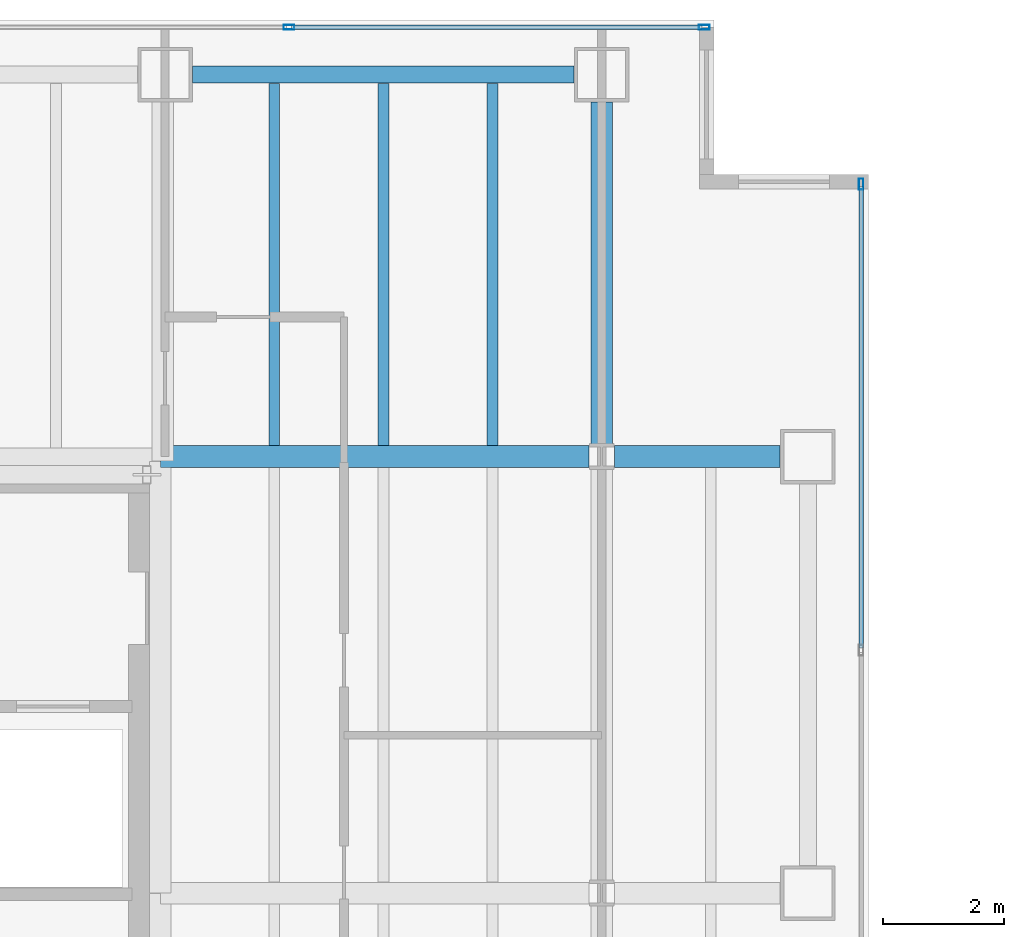
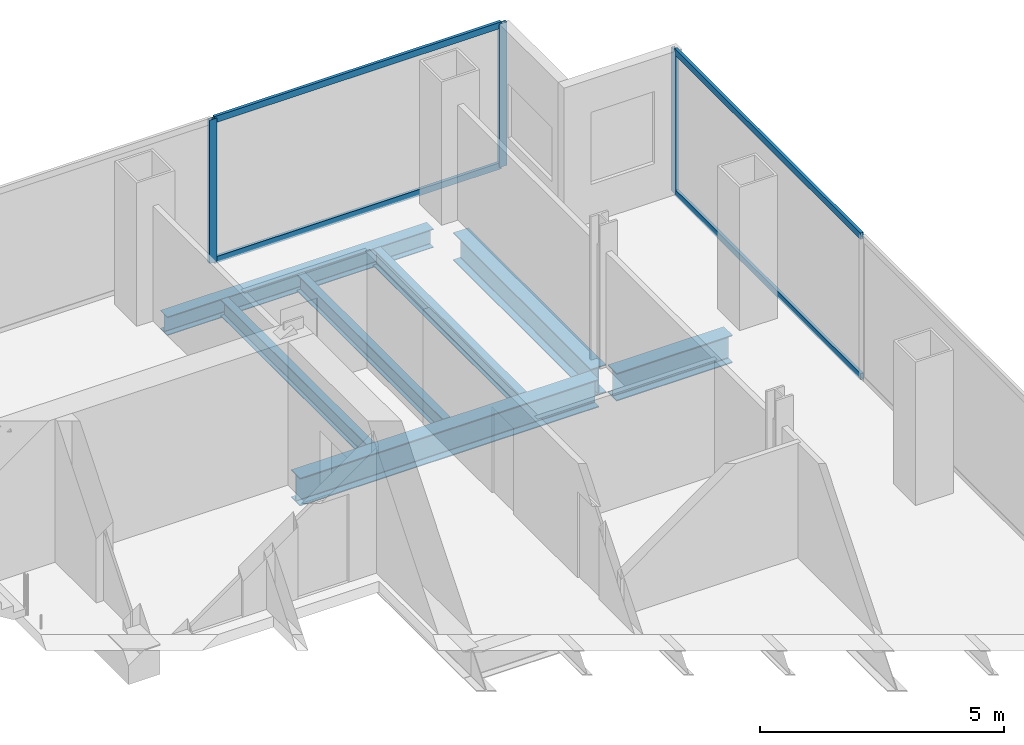
# One storey, part 18 of 24: 7 beams, 7 members, 2 elements without a shape of their own.
"""IFC4 building model written with IfcOpenShell, lengths in metres."""

from ifc_helpers import new_model, si_unit, direction, frame, origin, origin_2d, place, context, subcontext, project, spatial, hollow_rectangle, i_section, extrude, material, material_profile, profile_set, type_object, element, aggregate, save


model = new_model("IFC4")

# Units and contexts
model_context = context("Model", 3, precision=1e-05, world=origin(), true_north=direction((0.0, 1.0)))
body_context = subcontext(model_context, "Body", "Model", "MODEL_VIEW")
ifc_project = project(units=[si_unit("LENGTHUNIT", "METRE"), si_unit("AREAUNIT", "SQUARE_METRE"), si_unit("VOLUMEUNIT", "CUBIC_METRE"), si_unit("PLANEANGLEUNIT", "RADIAN"), si_unit("MASSUNIT", "GRAM", prefix="KILO")], contexts=[model_context])

# Site, building, storey
site_placement = place(None, origin())
site = spatial("IfcSite", under=ifc_project, at=site_placement, CompositionType="ELEMENT")
building_placement = place(site_placement, origin())
building = spatial("IfcBuilding", under=site, at=building_placement, Name="Cobrela Telecom Tower", CompositionType="ELEMENT")
storey_placement = place(building_placement, frame((0.0, 0.0, 136.85009765625)))
storey = spatial("IfcBuildingStorey", under=building, at=storey_placement, Name="L34", CompositionType="ELEMENT", Elevation=136.85009765625)

# Beams
ifc_material_1 = material(Name="Steel ASTM A992 Grade 50", Category="steel")
ifc_material_profile_1 = material_profile(ifc_material_1, i_section(OverallWidth=0.35595703125, OverallDepth=0.696044921875, WebThickness=0.015380859375, FlangeThickness=0.024658203125, FilletRadius=0.01806640625, at=origin_2d()), Name="W27X146")
ifc_profile_set_1 = profile_set([ifc_material_profile_1], Name="Steel ASTM A992 Grade 50")
beam_type_1 = type_object("IfcBeamType", Name="BM-GIRD-05", PredefinedType="USERDEFINED", material=ifc_profile_set_1)
beam_1_placement = place(storey_placement, frame((14.324951171875, 36.0, -0.6181640625), z_axis=(1.0, 0.0, 0.0), x_axis=(0.0, 1.0, 0.0)))
element("IfcBeam", 1, at=beam_1_placement, inside=storey, type_object=beam_type_1, Name="L34 Primary Girder X27", ObjectType="GIRDER", PredefinedType="USERDEFINED", context=body_context, shape_type="SweptSolid", body=[
    extrude(i_section(OverallWidth=0.35595703125, OverallDepth=0.696044921875, WebThickness=0.015380859375, FlangeThickness=0.024658203125, FilletRadius=0.01806640625, at=origin_2d()), origin(), (0.0, 0.0, 1.0), 7.0654296875),
])
beam_2_placement = place(storey_placement, frame((21.8095703125, 36.0, -0.6181640625), z_axis=(1.0, 0.0, 0.0), x_axis=(0.0, 1.0, 0.0)))
element("IfcBeam", 2, at=beam_2_placement, inside=storey, type_object=beam_type_1, Name="L34 Primary Girder X28", ObjectType="GIRDER", PredefinedType="USERDEFINED", context=body_context, shape_type="SweptSolid", body=[
    extrude(i_section(OverallWidth=0.35595703125, OverallDepth=0.696044921875, WebThickness=0.015380859375, FlangeThickness=0.024658203125, FilletRadius=0.01806640625, at=origin_2d()), origin(), (0.0, 0.0, 1.0), 2.7353515625),
])
beam_3_placement = place(storey_placement, frame((21.60009765625, 36.20947265625, -0.6181640625), z_axis=(0.0, 1.0, 0.0), x_axis=(-1.0, 0.0, 0.0)))
element("IfcBeam", 3, at=beam_3_placement, inside=storey, type_object=beam_type_1, Name="L34 Primary Girder Y44", ObjectType="GIRDER", PredefinedType="USERDEFINED", context=body_context, shape_type="SweptSolid", body=[
    extrude(i_section(OverallWidth=0.35595703125, OverallDepth=0.696044921875, WebThickness=0.015380859375, FlangeThickness=0.024658203125, FilletRadius=0.01806640625, at=origin_2d()), origin(), (0.0, 0.0, 1.0), 5.635498046875),
])
ifc_material_profile_2 = material_profile(ifc_material_1, i_section(OverallWidth=0.179931640625, OverallDepth=0.4169921875, WebThickness=0.010986328125, FlangeThickness=0.01806640625, FilletRadius=0.011962890625, at=origin_2d()), Name="W16X57")
ifc_profile_set_2 = profile_set([ifc_material_profile_2], Name="Steel ASTM A992 Grade 50")
beam_type_2 = type_object("IfcBeamType", Name="BM-JOIST-04", PredefinedType="JOIST", material=ifc_profile_set_2)
for number, where, z_axis, x_axis, name in (
    (4, (16.199951171875, 36.18310546875, -0.478515625), (0.0, 1.0, 0.0), (-1.0, 0.0, 0.0), "L34 Secondary Composite Floor Beam J08"),
    (5, (18.0, 36.18310546875, -0.478515625), (0.0, 1.0, 0.0), (-1.0, 0.0, 0.0), "L34 Secondary Composite Floor Beam J13"),
    (6, (19.800048828125, 36.18310546875, -0.478515625), (0.0, 1.0, 0.0), (-1.0, 0.0, 0.0), "L34 Secondary Composite Floor Beam J18"),
):
    element("IfcBeam", number, at=place(storey_placement, frame(where, z_axis=z_axis, x_axis=x_axis)), inside=storey, type_object=beam_type_2, Name=name, PredefinedType="JOIST", context=body_context, shape_type="SweptSolid", body=[
        extrude(i_section(OverallWidth=0.179931640625, OverallDepth=0.4169921875, WebThickness=0.010986328125, FlangeThickness=0.01806640625, FilletRadius=0.011962890625, at=origin_2d()), origin(), (0.0, 0.0, 1.0), 5.970947265625),
    ])
ifc_material_profile_3 = material_profile(ifc_material_1, i_section(OverallWidth=0.281982421875, OverallDepth=0.467041015625, WebThickness=0.01220703125, FlangeThickness=0.01953125, FilletRadius=0.012939453125, at=origin_2d()), Name="W18X86")
ifc_profile_set_3 = profile_set([ifc_material_profile_3], Name="Steel ASTM A992 Grade 50")
beam_type_3 = type_object("IfcBeamType", Name="BM-SPAND-04", PredefinedType="SPANDREL", material=ifc_profile_set_3)
beam_4_placement = place(storey_placement, frame((14.85498046875, 42.300048828125, -0.503662109375), z_axis=(1.0, 0.0, 0.0), x_axis=(0.0, 1.0, 0.0)))
element("IfcBeam", 7, at=beam_4_placement, inside=storey, type_object=beam_type_3, Name="L34 Perimeter Spandrel X30", PredefinedType="SPANDREL", context=body_context, shape_type="SweptSolid", body=[
    extrude(i_section(OverallWidth=0.281982421875, OverallDepth=0.467041015625, WebThickness=0.01220703125, FlangeThickness=0.01953125, FilletRadius=0.012939453125, at=origin_2d()), origin(), (0.0, 0.0, 1.0), 6.2900390625),
])

# Curtain wall, members
ifc_material_2 = material(Name="Anodized Bronze Aluminium 6063-T6", Category="aluminium")
curtain_wall_type = type_object("IfcCurtainWallType", Name="CW-SYS-TEL", PredefinedType="USERDEFINED", material=ifc_material_2)
curtain_wall_1_placement = place(storey_placement, origin())
curtain_wall_1 = element("IfcCurtainWall", 8, at=curtain_wall_1_placement, inside=storey, type_object=curtain_wall_type, Name="L34 Unitised Bronze Curtain Wall 07", ObjectType="UNITISED CURTAIN WALL", PredefinedType="USERDEFINED")
ifc_material_profile_4 = material_profile(ifc_material_2, hollow_rectangle(XDim=0.074951171875, YDim=0.179931640625, WallThickness=0.00390625, at=origin_2d()), Name="ALU 75x180x4")
ifc_profile_set_4 = profile_set([ifc_material_profile_4], Name="Anodized Bronze Aluminium 6063-T6")
member_type_1 = type_object("IfcMemberType", Name="CW-SYS-TEL-MUL", PredefinedType="MULLION", material=ifc_profile_set_4)
member_1_placement = place(storey_placement, frame((16.443359375, 43.080078125, 0.0), z_axis=(0.0, 0.0, 1.0), x_axis=(0.0, 1.0, 0.0)))
member_1 = element("IfcMember", 9, at=member_1_placement, type_object=member_type_1, Name="CW-TEL mullion 3", PredefinedType="MULLION", context=body_context, shape_type="SweptSolid", body=[
    extrude(hollow_rectangle(XDim=0.074951171875, YDim=0.179931640625, WallThickness=0.00390625, at=origin_2d()), origin(), (0.0, 0.0, 1.0), 3.579833984375),
])
member_2_placement = place(storey_placement, frame((23.29248046875, 43.080078125, 0.0), z_axis=(0.0, 0.0, 1.0), x_axis=(0.0, 1.0, 0.0)))
member_2 = element("IfcMember", 10, at=member_2_placement, type_object=member_type_1, Name="CW-TEL mullion 4", PredefinedType="MULLION", context=body_context, shape_type="SweptSolid", body=[
    extrude(hollow_rectangle(XDim=0.074951171875, YDim=0.179931640625, WallThickness=0.00390625, at=origin_2d()), origin(), (0.0, 0.0, 1.0), 3.579833984375),
])

# Curtain wall, member
curtain_wall_2_placement = place(storey_placement, origin())
curtain_wall_2 = element("IfcCurtainWall", 11, at=curtain_wall_2_placement, inside=storey, type_object=curtain_wall_type, Name="L34 Unitised Bronze Curtain Wall 10", ObjectType="UNITISED CURTAIN WALL", PredefinedType="USERDEFINED")
member_3_placement = place(storey_placement, frame((25.8798828125, 40.492431640625, 0.0), z_axis=(0.0, 0.0, 1.0), x_axis=(1.0, 0.0, 0.0)))
member_3 = element("IfcMember", 12, at=member_3_placement, type_object=member_type_1, Name="CW-TEL mullion 1", PredefinedType="MULLION", context=body_context, shape_type="SweptSolid", body=[
    extrude(hollow_rectangle(XDim=0.074951171875, YDim=0.179931640625, WallThickness=0.00390625, at=origin_2d()), origin(), (0.0, 0.0, 1.0), 3.579833984375),
])

# Member
ifc_material_profile_5 = material_profile(ifc_material_2, hollow_rectangle(XDim=0.070068359375, YDim=0.159912109375, WallThickness=0.00390625, at=origin_2d()), Name="ALU 70x160x4")
ifc_profile_set_5 = profile_set([ifc_material_profile_5], Name="Anodized Bronze Aluminium 6063-T6")
member_type_2 = type_object("IfcMemberType", Name="CW-SYS-TEL-TRN", PredefinedType="USERDEFINED", material=ifc_profile_set_5)
member_4_placement = place(storey_placement, frame((16.480712890625, 43.080078125, 0.034912109375), z_axis=(1.0, 0.0, 0.0), x_axis=(0.0, 1.0, 0.0)))
member_4 = element("IfcMember", 13, at=member_4_placement, type_object=member_type_2, Name="CW-TEL transom 3.1", ObjectType="TRANSOM", PredefinedType="USERDEFINED", context=body_context, shape_type="SweptSolid", body=[
    extrude(hollow_rectangle(XDim=0.070068359375, YDim=0.159912109375, WallThickness=0.00390625, at=origin_2d()), origin(), (0.0, 0.0, 1.0), 6.774169921875),
])

member_5_placement = place(storey_placement, frame((16.480712890625, 43.080078125, 3.544921875), z_axis=(1.0, 0.0, 0.0), x_axis=(0.0, 1.0, 0.0)))
member_5 = element("IfcMember", 14, at=member_5_placement, type_object=member_type_2, Name="CW-TEL transom 3.2", ObjectType="TRANSOM", PredefinedType="USERDEFINED", context=body_context, shape_type="SweptSolid", body=[
    extrude(hollow_rectangle(XDim=0.070068359375, YDim=0.159912109375, WallThickness=0.00390625, at=origin_2d()), origin(), (0.0, 0.0, 1.0), 6.774169921875),
])

aggregate(curtain_wall_1, [member_1, member_2, member_4, member_5])

member_6_placement = place(storey_placement, frame((25.8798828125, 40.455078125, 0.034912109375), z_axis=(0.0, -1.0, 0.0), x_axis=(1.0, 0.0, 0.0)))
member_6 = element("IfcMember", 15, at=member_6_placement, type_object=member_type_2, Name="CW-TEL transom 1.1", ObjectType="TRANSOM", PredefinedType="USERDEFINED", context=body_context, shape_type="SweptSolid", body=[
    extrude(hollow_rectangle(XDim=0.070068359375, YDim=0.159912109375, WallThickness=0.00390625, at=origin_2d()), origin(), (0.0, 0.0, 1.0), 7.612548828125),
])

member_7_placement = place(storey_placement, frame((25.8798828125, 40.455078125, 3.544921875), z_axis=(0.0, -1.0, 0.0), x_axis=(1.0, 0.0, 0.0)))
member_7 = element("IfcMember", 16, at=member_7_placement, type_object=member_type_2, Name="CW-TEL transom 1.2", ObjectType="TRANSOM", PredefinedType="USERDEFINED", context=body_context, shape_type="SweptSolid", body=[
    extrude(hollow_rectangle(XDim=0.070068359375, YDim=0.159912109375, WallThickness=0.00390625, at=origin_2d()), origin(), (0.0, 0.0, 1.0), 7.612548828125),
])

aggregate(curtain_wall_2, [member_3, member_6, member_7])

save(model, "model.ifc")
